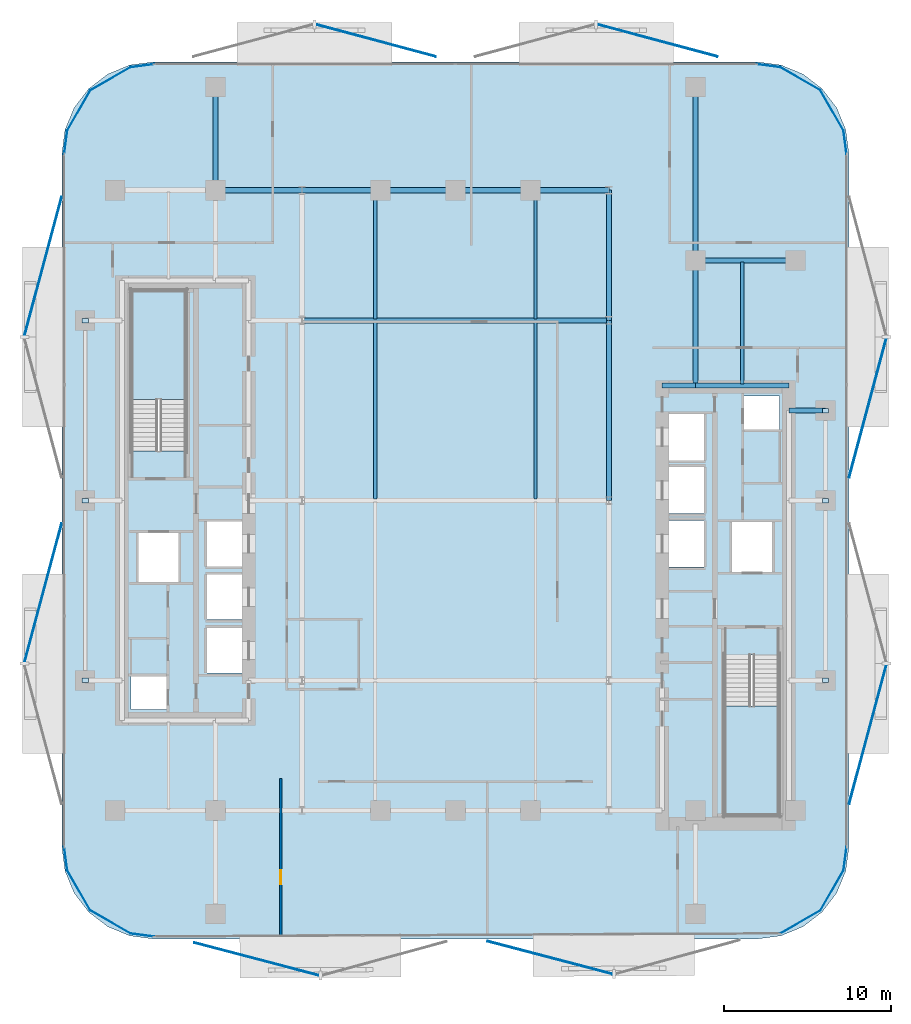
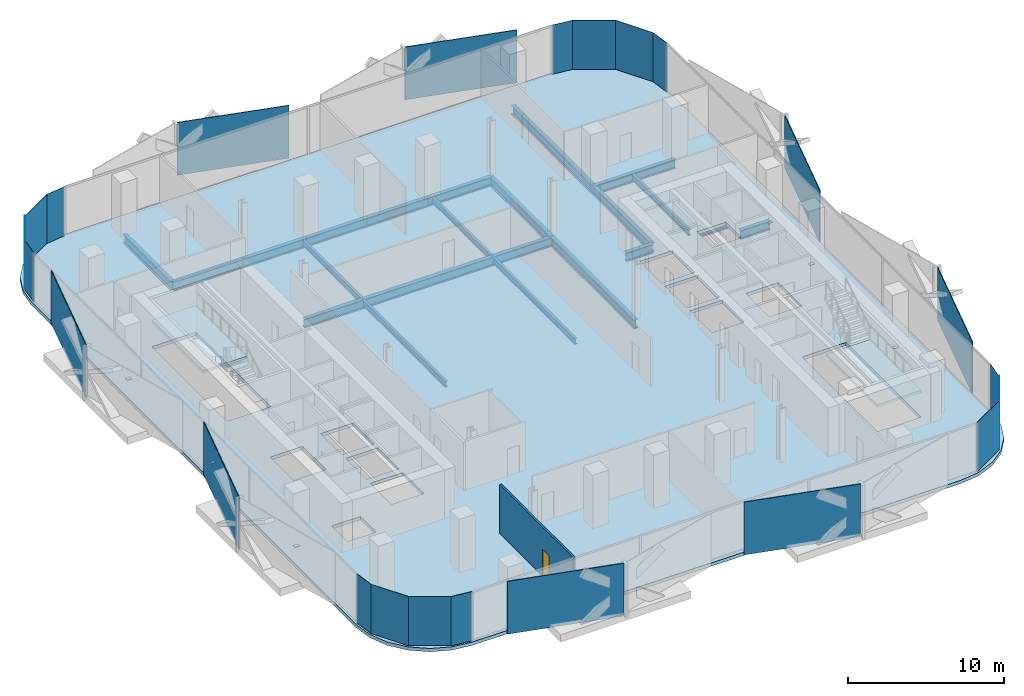
# One storey, part 2 of 15: 29 plates, 20 beams, 3 slabs, 1 door, 1 wall, 1 opening, 2 elements without a shape of their own.
"""IFC4 building model written with IfcOpenShell, lengths in metres."""

from ifc_helpers import new_model, si_unit, direction, frame, frame_2d, origin, origin_2d, place, context, subcontext, project, spatial, polyline, rectangle, i_section, outline, extrude, material, layer, layer_set, material_profile, profile_set, type_object, element, fill, aggregate, save


model = new_model("IFC4")

# Units and contexts
model_context = context("Model", 3, precision=1e-05, world=origin(), true_north=direction((0.0, 1.0)))
body_context = subcontext(model_context, "Body", "Model", "MODEL_VIEW")
ifc_project = project(units=[si_unit("LENGTHUNIT", "METRE"), si_unit("AREAUNIT", "SQUARE_METRE"), si_unit("VOLUMEUNIT", "CUBIC_METRE"), si_unit("PLANEANGLEUNIT", "RADIAN"), si_unit("MASSUNIT", "GRAM", prefix="KILO")], contexts=[model_context])

# Site, building, storey
site_placement = place(None, origin())
site = spatial("IfcSite", under=ifc_project, at=site_placement, CompositionType="ELEMENT")
building_placement = place(site_placement, origin())
building = spatial("IfcBuilding", under=site, at=building_placement, Name="Khairoan Windgate Tower", CompositionType="ELEMENT")
storey_placement = place(building_placement, frame((0.0, 0.0, 147.800048828125)))
storey = spatial("IfcBuildingStorey", under=building, at=storey_placement, Name="L34", CompositionType="ELEMENT", Elevation=147.800048828125)

# Beams
ifc_material_1 = material(Name="Steel S355", Category="steel")
ifc_material_profile_1 = material_profile(ifc_material_1, i_section(OverallWidth=0.300048828125, OverallDepth=0.699951171875, WebThickness=0.012939453125, FlangeThickness=0.02392578125, FilletRadius=0.02587890625, at=origin_2d()))
ifc_profile_set_1 = profile_set([ifc_material_profile_1], Name="Steel S355")
beam_type_1 = type_object("IfcBeamType", Name="Beam B-G3 H700x300x13x24", PredefinedType="BEAM", material=ifc_profile_set_1)
beam_1_placement = place(storey_placement, frame((20.0, 5.39990234375, -0.610107421875), z_axis=(1.0, 0.0, 0.0), x_axis=(0.0, 1.0, 0.0)))
element("IfcBeam", 1, at=beam_1_placement, inside=storey, type_object=beam_type_1, Name="L34 E-W Primary Girder 19", PredefinedType="BEAM", context=body_context, shape_type="SweptSolid", body=[
    extrude(i_section(OverallWidth=0.300048828125, OverallDepth=0.699951171875, WebThickness=0.012939453125, FlangeThickness=0.02392578125, FilletRadius=0.02587890625, at=origin_2d()), origin(), (0.0, 0.0, 1.0), 2.199951171875),
])
beam_2_placement = place(storey_placement, frame((12.39990234375, 6.89990234375, -0.610107421875), z_axis=(1.0, 0.0, 0.0), x_axis=(0.0, 1.0, 0.0)))
element("IfcBeam", 2, at=beam_2_placement, inside=storey, type_object=beam_type_1, Name="L34 E-W Primary Girder 20", PredefinedType="BEAM", context=body_context, shape_type="SweptSolid", body=[
    extrude(i_section(OverallWidth=0.300048828125, OverallDepth=0.699951171875, WebThickness=0.012939453125, FlangeThickness=0.02392578125, FilletRadius=0.02587890625, at=origin_2d()), origin(), (0.0, 0.0, 1.0), 2.0),
])
beam_3_placement = place(storey_placement, frame((14.39990234375, 6.89990234375, -0.610107421875), z_axis=(1.0, 0.0, 0.0), x_axis=(0.0, 1.0, 0.0)))
element("IfcBeam", 3, at=beam_3_placement, inside=storey, type_object=beam_type_1, Name="L34 E-W Primary Girder 21", PredefinedType="BEAM", context=body_context, shape_type="SweptSolid", body=[
    extrude(i_section(OverallWidth=0.300048828125, OverallDepth=0.699951171875, WebThickness=0.012939453125, FlangeThickness=0.02392578125, FilletRadius=0.02587890625, at=origin_2d()), origin(), (0.0, 0.0, 1.0), 5.60009765625),
])
beam_4_placement = place(storey_placement, frame((-9.199951171875, 10.800048828125, -0.610107421875), z_axis=(1.0, 0.0, 0.0), x_axis=(0.0, 1.0, 0.0)))
element("IfcBeam", 4, at=beam_4_placement, inside=storey, type_object=beam_type_1, Name="L34 E-W Primary Girder 24", PredefinedType="BEAM", context=body_context, shape_type="SweptSolid", body=[
    extrude(i_section(OverallWidth=0.300048828125, OverallDepth=0.699951171875, WebThickness=0.012939453125, FlangeThickness=0.02392578125, FilletRadius=0.02587890625, at=origin_2d()), origin(), (0.0, 0.0, 1.0), 18.39990234375),
])
beam_5_placement = place(storey_placement, frame((14.39990234375, 14.39990234375, -0.610107421875), z_axis=(1.0, 0.0, 0.0), x_axis=(0.0, 1.0, 0.0)))
element("IfcBeam", 5, at=beam_5_placement, inside=storey, type_object=beam_type_1, Name="L34 E-W Primary Girder 27", PredefinedType="BEAM", context=body_context, shape_type="SweptSolid", body=[
    extrude(i_section(OverallWidth=0.300048828125, OverallDepth=0.699951171875, WebThickness=0.012939453125, FlangeThickness=0.02392578125, FilletRadius=0.02587890625, at=origin_2d()), origin(), (0.0, 0.0, 1.0), 6.0),
])
beam_6_placement = place(storey_placement, frame((-14.39990234375, 18.60009765625, -0.610107421875), z_axis=(1.0, 0.0, 0.0), x_axis=(0.0, 1.0, 0.0)))
element("IfcBeam", 6, at=beam_6_placement, inside=storey, type_object=beam_type_1, Name="L34 E-W Primary Girder 29", PredefinedType="BEAM", context=body_context, shape_type="SweptSolid", body=[
    extrude(i_section(OverallWidth=0.300048828125, OverallDepth=0.699951171875, WebThickness=0.012939453125, FlangeThickness=0.02392578125, FilletRadius=0.02587890625, at=origin_2d()), origin(), (0.0, 0.0, 1.0), 5.199951171875),
])
beam_7_placement = place(storey_placement, frame((-9.199951171875, 18.60009765625, -0.610107421875), z_axis=(1.0, 0.0, 0.0), x_axis=(0.0, 1.0, 0.0)))
element("IfcBeam", 7, at=beam_7_placement, inside=storey, type_object=beam_type_1, Name="L34 E-W Primary Girder 30", PredefinedType="BEAM", context=body_context, shape_type="SweptSolid", body=[
    extrude(i_section(OverallWidth=0.300048828125, OverallDepth=0.699951171875, WebThickness=0.012939453125, FlangeThickness=0.02392578125, FilletRadius=0.02587890625, at=origin_2d()), origin(), (0.0, 0.0, 1.0), 4.699951171875),
])
for number, where, z_axis, x_axis, name in (
    (8, (-4.5, 18.60009765625, -0.610107421875), (1.0, 0.0, 0.0), (0.0, 1.0, 0.0), "L34 E-W Primary Girder 31"),
    (9, (0.0, 18.60009765625, -0.610107421875), (1.0, 0.0, 0.0), (0.0, 1.0, 0.0), "L34 E-W Primary Girder 32"),
):
    element("IfcBeam", number, at=place(storey_placement, frame(where, z_axis=z_axis, x_axis=x_axis)), inside=storey, type_object=beam_type_1, Name=name, PredefinedType="BEAM", context=body_context, shape_type="SweptSolid", body=[
        extrude(i_section(OverallWidth=0.300048828125, OverallDepth=0.699951171875, WebThickness=0.012939453125, FlangeThickness=0.02392578125, FilletRadius=0.02587890625, at=origin_2d()), origin(), (0.0, 0.0, 1.0), 4.5),
    ])
beam_8_placement = place(storey_placement, frame((4.5, 18.60009765625, -0.610107421875), z_axis=(1.0, 0.0, 0.0), x_axis=(0.0, 1.0, 0.0)))
element("IfcBeam", 10, at=beam_8_placement, inside=storey, type_object=beam_type_1, Name="L34 E-W Primary Girder 33", PredefinedType="BEAM", context=body_context, shape_type="SweptSolid", body=[
    extrude(i_section(OverallWidth=0.300048828125, OverallDepth=0.699951171875, WebThickness=0.012939453125, FlangeThickness=0.02392578125, FilletRadius=0.02587890625, at=origin_2d()), origin(), (0.0, 0.0, 1.0), 4.699951171875),
])
beam_9_placement = place(storey_placement, frame((-14.39990234375, 18.60009765625, -0.610107421875), z_axis=(0.0, 1.0, 0.0), x_axis=(-1.0, 0.0, 0.0)))
element("IfcBeam", 11, at=beam_9_placement, inside=storey, type_object=beam_type_1, Name="L34 N-S Primary Beam 43", PredefinedType="BEAM", context=body_context, shape_type="SweptSolid", body=[
    extrude(i_section(OverallWidth=0.300048828125, OverallDepth=0.699951171875, WebThickness=0.012939453125, FlangeThickness=0.02392578125, FilletRadius=0.02587890625, at=origin_2d()), origin(), (0.0, 0.0, 1.0), 6.199951171875),
])
beam_10_placement = place(storey_placement, frame((9.199951171875, 0.0, -0.610107421875), z_axis=(0.0, 1.0, 0.0), x_axis=(-1.0, 0.0, 0.0)))
element("IfcBeam", 12, at=beam_10_placement, inside=storey, type_object=beam_type_1, Name="L34 N-S Primary Beam 53", PredefinedType="BEAM", context=body_context, shape_type="SweptSolid", body=[
    extrude(i_section(OverallWidth=0.300048828125, OverallDepth=0.699951171875, WebThickness=0.012939453125, FlangeThickness=0.02392578125, FilletRadius=0.02587890625, at=origin_2d()), origin(), (0.0, 0.0, 1.0), 10.800048828125),
])
beam_11_placement = place(storey_placement, frame((9.199951171875, 10.800048828125, -0.610107421875), z_axis=(0.0, 1.0, 0.0), x_axis=(-1.0, 0.0, 0.0)))
element("IfcBeam", 13, at=beam_11_placement, inside=storey, type_object=beam_type_1, Name="L34 N-S Primary Beam 54", PredefinedType="BEAM", context=body_context, shape_type="SweptSolid", body=[
    extrude(i_section(OverallWidth=0.300048828125, OverallDepth=0.699951171875, WebThickness=0.012939453125, FlangeThickness=0.02392578125, FilletRadius=0.02587890625, at=origin_2d()), origin(), (0.0, 0.0, 1.0), 7.800048828125),
])
beam_12_placement = place(storey_placement, frame((14.39990234375, 6.89990234375, -0.610107421875), z_axis=(0.0, 1.0, 0.0), x_axis=(-1.0, 0.0, 0.0)))
element("IfcBeam", 14, at=beam_12_placement, inside=storey, type_object=beam_type_1, Name="L34 N-S Primary Beam 57", PredefinedType="BEAM", context=body_context, shape_type="SweptSolid", body=[
    extrude(i_section(OverallWidth=0.300048828125, OverallDepth=0.699951171875, WebThickness=0.012939453125, FlangeThickness=0.02392578125, FilletRadius=0.02587890625, at=origin_2d()), origin(), (0.0, 0.0, 1.0), 7.5),
])
beam_13_placement = place(storey_placement, frame((14.39990234375, 14.39990234375, -0.610107421875), z_axis=(0.0, 1.0, 0.0), x_axis=(-1.0, 0.0, 0.0)))
element("IfcBeam", 15, at=beam_13_placement, inside=storey, type_object=beam_type_1, Name="L34 N-S Primary Beam 58", PredefinedType="BEAM", context=body_context, shape_type="SweptSolid", body=[
    extrude(i_section(OverallWidth=0.300048828125, OverallDepth=0.699951171875, WebThickness=0.012939453125, FlangeThickness=0.02392578125, FilletRadius=0.02587890625, at=origin_2d()), origin(), (0.0, 0.0, 1.0), 10.400146484375),
])
ifc_material_2 = material(Name="Steel S355", Category="steel")
ifc_material_profile_2 = material_profile(ifc_material_2, i_section(OverallWidth=0.199951171875, OverallDepth=0.449951171875, WebThickness=0.009033203125, FlangeThickness=0.013916015625, FilletRadius=0.01806640625, at=origin_2d()))
ifc_profile_set_2 = profile_set([ifc_material_profile_2], Name="Steel S355")
beam_type_2 = type_object("IfcBeamType", Name="Beam J-S3 H450x200x9x14", PredefinedType="JOIST", material=ifc_profile_set_2)
beam_14_placement = place(storey_placement, frame((-4.800048828125, 0.090087890625, -0.485107421875), z_axis=(0.0, 1.0, 0.0), x_axis=(-1.0, 0.0, 0.0)))
element("IfcBeam", 16, at=beam_14_placement, inside=storey, type_object=beam_type_2, Name="L34 Secondary Floor Joist 05", PredefinedType="JOIST", context=body_context, shape_type="SweptSolid", body=[
    extrude(i_section(OverallWidth=0.199951171875, OverallDepth=0.449951171875, WebThickness=0.009033203125, FlangeThickness=0.013916015625, FilletRadius=0.01806640625, at=origin_2d()), origin(), (0.0, 0.0, 1.0), 10.619873046875),
])
beam_15_placement = place(storey_placement, frame((-4.800048828125, 10.889892578125, -0.485107421875), z_axis=(0.0, 1.0, 0.0), x_axis=(-1.0, 0.0, 0.0)))
element("IfcBeam", 17, at=beam_15_placement, inside=storey, type_object=beam_type_2, Name="L34 Secondary Floor Joist 06", PredefinedType="JOIST", context=body_context, shape_type="SweptSolid", body=[
    extrude(i_section(OverallWidth=0.199951171875, OverallDepth=0.449951171875, WebThickness=0.009033203125, FlangeThickness=0.013916015625, FilletRadius=0.01806640625, at=origin_2d()), origin(), (0.0, 0.0, 1.0), 7.6201171875),
])
beam_16_placement = place(storey_placement, frame((4.800048828125, 0.090087890625, -0.485107421875), z_axis=(0.0, 1.0, 0.0), x_axis=(-1.0, 0.0, 0.0)))
element("IfcBeam", 18, at=beam_16_placement, inside=storey, type_object=beam_type_2, Name="L34 Secondary Floor Joist 09", PredefinedType="JOIST", context=body_context, shape_type="SweptSolid", body=[
    extrude(i_section(OverallWidth=0.199951171875, OverallDepth=0.449951171875, WebThickness=0.009033203125, FlangeThickness=0.013916015625, FilletRadius=0.01806640625, at=origin_2d()), origin(), (0.0, 0.0, 1.0), 10.619873046875),
])
beam_17_placement = place(storey_placement, frame((4.800048828125, 10.889892578125, -0.485107421875), z_axis=(0.0, 1.0, 0.0), x_axis=(-1.0, 0.0, 0.0)))
element("IfcBeam", 19, at=beam_17_placement, inside=storey, type_object=beam_type_2, Name="L34 Secondary Floor Joist 10", PredefinedType="JOIST", context=body_context, shape_type="SweptSolid", body=[
    extrude(i_section(OverallWidth=0.199951171875, OverallDepth=0.449951171875, WebThickness=0.009033203125, FlangeThickness=0.013916015625, FilletRadius=0.01806640625, at=origin_2d()), origin(), (0.0, 0.0, 1.0), 7.6201171875),
])
beam_18_placement = place(storey_placement, frame((17.199951171875, 6.989990234375, -0.485107421875), z_axis=(0.0, 1.0, 0.0), x_axis=(-1.0, 0.0, 0.0)))
element("IfcBeam", 20, at=beam_18_placement, inside=storey, type_object=beam_type_2, Name="L34 Secondary Floor Joist 11", PredefinedType="JOIST", context=body_context, shape_type="SweptSolid", body=[
    extrude(i_section(OverallWidth=0.199951171875, OverallDepth=0.449951171875, WebThickness=0.009033203125, FlangeThickness=0.013916015625, FilletRadius=0.01806640625, at=origin_2d()), origin(), (0.0, 0.0, 1.0), 7.320068359375),
])

# Plates
ifc_material_3 = material(Name="Low-E Solar Control Laminated Glass", Category="glass")
ifc_layer_1 = layer(ifc_material_3, 0.030029296875, Name="Low-E Solar Control Laminated Glass")
ifc_layer_set_1 = layer_set([ifc_layer_1], Name="Low-E Solar Control Laminated Glass")
plate_type_1 = type_object("IfcPlateType", Name="Aerodynamic Wind-Corner Curved Glazing Plate", PredefinedType="USERDEFINED", material=ifc_layer_set_1)
plate_placement = place(storey_placement, frame((-18.788818359375, -26.068115234375, 0.0), z_axis=(0.0, 0.0, 1.0), x_axis=(-0.991444861374, 0.13052619222, 0.0)))
element("IfcPlate", 21, at=plate_placement, inside=storey, type_object=plate_type_1, Name="L34 Aerodynamic Wind-Corner Curved Glazing Panel 2", ObjectType="GLAZING PANEL", PredefinedType="USERDEFINED", context=body_context, shape_type="SweptSolid", body=[
    extrude(rectangle(XDim=1.4482421875, YDim=0.028076171875, at=origin_2d()), origin(), (0.0, 0.0, 1.0), 3.85009765625),
])
for number, where, z_axis, x_axis, name in (
    (22, (-20.688232421875, -25.28271484375, 0.0), (0.0, 0.0, 1.0), (-0.866025403784, 0.5, 0.0), "L34 Aerodynamic Wind-Corner Curved Glazing Panel 3"),
    (23, (-22.582763671875, -23.38818359375, 0.0), (0.0, 0.0, 1.0), (-0.5, 0.866025403784, 0.0), "L34 Aerodynamic Wind-Corner Curved Glazing Panel 4"),
):
    element("IfcPlate", number, at=place(storey_placement, frame(where, z_axis=z_axis, x_axis=x_axis)), inside=storey, type_object=plate_type_1, Name=name, ObjectType="GLAZING PANEL", PredefinedType="USERDEFINED", context=body_context, shape_type="SweptSolid", body=[
        extrude(rectangle(XDim=2.81396484375, YDim=0.028076171875, at=origin_2d()), origin(), (0.0, 0.0, 1.0), 3.85009765625),
    ])
for number, where, z_axis, x_axis, name in (
    (24, (-23.3681640625, -21.489013671875, 0.0), (0.0, 0.0, 1.0), (-0.13052619222, 0.991444861374, 0.0), "L34 Aerodynamic Wind-Corner Curved Glazing Panel 5"),
    (25, (-23.3681640625, 21.489013671875, 0.0), (0.0, 0.0, 1.0), (0.13052619222, 0.991444861374, 0.0), "L34 Aerodynamic Wind-Corner Curved Glazing Panel 7"),
):
    element("IfcPlate", number, at=place(storey_placement, frame(where, z_axis=z_axis, x_axis=x_axis)), inside=storey, type_object=plate_type_1, Name=name, ObjectType="GLAZING PANEL", PredefinedType="USERDEFINED", context=body_context, shape_type="SweptSolid", body=[
        extrude(rectangle(XDim=1.4482421875, YDim=0.028076171875, at=origin_2d()), origin(), (0.0, 0.0, 1.0), 3.85009765625),
    ])
for number, where, z_axis, x_axis, name in (
    (26, (-22.582763671875, 23.38818359375, 0.0), (0.0, 0.0, 1.0), (0.5, 0.866025403784, 0.0), "L34 Aerodynamic Wind-Corner Curved Glazing Panel 8"),
    (27, (-20.688232421875, 25.28271484375, 0.0), (0.0, 0.0, 1.0), (0.866025403784, 0.5, 0.0), "L34 Aerodynamic Wind-Corner Curved Glazing Panel 9"),
):
    element("IfcPlate", number, at=place(storey_placement, frame(where, z_axis=z_axis, x_axis=x_axis)), inside=storey, type_object=plate_type_1, Name=name, ObjectType="GLAZING PANEL", PredefinedType="USERDEFINED", context=body_context, shape_type="SweptSolid", body=[
        extrude(rectangle(XDim=2.81396484375, YDim=0.028076171875, at=origin_2d()), origin(), (0.0, 0.0, 1.0), 3.85009765625),
    ])
for number, where, z_axis, x_axis, name in (
    (28, (-18.788818359375, 26.068115234375, 0.0), (0.0, 0.0, 1.0), (0.991444861374, 0.13052619222, 0.0), "L34 Aerodynamic Wind-Corner Curved Glazing Panel 10"),
    (29, (18.788818359375, 26.068115234375, 0.0), (0.0, 0.0, 1.0), (0.991444861374, -0.13052619222, 0.0), "L34 Aerodynamic Wind-Corner Curved Glazing Panel 12"),
):
    element("IfcPlate", number, at=place(storey_placement, frame(where, z_axis=z_axis, x_axis=x_axis)), inside=storey, type_object=plate_type_1, Name=name, ObjectType="GLAZING PANEL", PredefinedType="USERDEFINED", context=body_context, shape_type="SweptSolid", body=[
        extrude(rectangle(XDim=1.4482421875, YDim=0.028076171875, at=origin_2d()), origin(), (0.0, 0.0, 1.0), 3.85009765625),
    ])
for number, where, z_axis, x_axis, name in (
    (30, (20.688232421875, 25.28271484375, 0.0), (0.0, 0.0, 1.0), (0.866025403784, -0.5, 0.0), "L34 Aerodynamic Wind-Corner Curved Glazing Panel 13"),
    (31, (22.582763671875, 23.38818359375, 0.0), (0.0, 0.0, 1.0), (0.5, -0.866025403784, 0.0), "L34 Aerodynamic Wind-Corner Curved Glazing Panel 14"),
):
    element("IfcPlate", number, at=place(storey_placement, frame(where, z_axis=z_axis, x_axis=x_axis)), inside=storey, type_object=plate_type_1, Name=name, ObjectType="GLAZING PANEL", PredefinedType="USERDEFINED", context=body_context, shape_type="SweptSolid", body=[
        extrude(rectangle(XDim=2.81396484375, YDim=0.028076171875, at=origin_2d()), origin(), (0.0, 0.0, 1.0), 3.85009765625),
    ])
for number, where, z_axis, x_axis, name in (
    (32, (23.3681640625, 21.489013671875, 0.0), (0.0, 0.0, 1.0), (0.13052619222, -0.991444861374, 0.0), "L34 Aerodynamic Wind-Corner Curved Glazing Panel 15"),
    (33, (23.3681640625, -21.489013671875, 0.0), (0.0, 0.0, 1.0), (-0.13052619222, -0.991444861374, 0.0), "L34 Aerodynamic Wind-Corner Curved Glazing Panel 17"),
):
    element("IfcPlate", number, at=place(storey_placement, frame(where, z_axis=z_axis, x_axis=x_axis)), inside=storey, type_object=plate_type_1, Name=name, ObjectType="GLAZING PANEL", PredefinedType="USERDEFINED", context=body_context, shape_type="SweptSolid", body=[
        extrude(rectangle(XDim=1.4482421875, YDim=0.028076171875, at=origin_2d()), origin(), (0.0, 0.0, 1.0), 3.85009765625),
    ])
for number, where, z_axis, x_axis, name in (
    (34, (22.582763671875, -23.38818359375, 0.0), (0.0, 0.0, 1.0), (-0.5, -0.866025403784, 0.0), "L34 Aerodynamic Wind-Corner Curved Glazing Panel 18"),
    (35, (20.688232421875, -25.28271484375, 0.0), (0.0, 0.0, 1.0), (-0.866025403784, -0.5, 0.0), "L34 Aerodynamic Wind-Corner Curved Glazing Panel 19"),
):
    element("IfcPlate", number, at=place(storey_placement, frame(where, z_axis=z_axis, x_axis=x_axis)), inside=storey, type_object=plate_type_1, Name=name, ObjectType="GLAZING PANEL", PredefinedType="USERDEFINED", context=body_context, shape_type="SweptSolid", body=[
        extrude(rectangle(XDim=2.81396484375, YDim=0.028076171875, at=origin_2d()), origin(), (0.0, 0.0, 1.0), 3.85009765625),
    ])
ifc_material_4 = material(Name="Steel S355", Category="steel")
ifc_layer_2 = layer(ifc_material_4, 0.0400390625, Name="Steel S355")
ifc_layer_set_2 = layer_set([ifc_layer_2], Name="Steel S355")
plate_type_2 = type_object("IfcPlateType", Name="Hollow Section End-Cap Plate PL-CAP40", PredefinedType="SHEET", material=ifc_layer_set_2)
for number, where, z_axis, x_axis, name in (
    (36, (-22.199951171875, -10.784912109375, -0.455078125), (0.0, 0.0, 1.0), (0.0, 1.0, 0.0), "BM-SP-L34-034 steel end-cap plate 1"),
    (37, (-22.199951171875, -0.014892578125, -0.455078125), (0.0, 0.0, 1.0), (0.0, 1.0, 0.0), "BM-SP-L34-034 steel end-cap plate 2"),
    (38, (-22.199951171875, 10.784912109375, -0.455078125), (0.0, 0.0, 1.0), (0.0, 1.0, 0.0), "BM-SP-L34-035 steel end-cap plate 2"),
    (39, (22.199951171875, -10.784912109375, -0.455078125), (0.0, 0.0, 1.0), (0.0, 1.0, 0.0), "BM-SP-L34-062 steel end-cap plate 1"),
    (40, (22.199951171875, -0.014892578125, -0.455078125), (0.0, 0.0, 1.0), (0.0, 1.0, 0.0), "BM-SP-L34-062 steel end-cap plate 2"),
    (41, (22.199951171875, 5.385009765625, -0.455078125), (0.0, 0.0, 1.0), (0.0, 1.0, 0.0), "BM-SP-L34-063 steel end-cap plate 2"),
):
    element("IfcPlate", number, at=place(storey_placement, frame(where, z_axis=z_axis, x_axis=x_axis)), inside=storey, type_object=plate_type_2, Name=name, PredefinedType="SHEET", context=body_context, shape_type="SweptSolid", body=[
        extrude(rectangle(XDim=0.27001953125, YDim=0.3701171875, at=origin_2d()), origin(), (0.0, 0.0, 1.0), 0.0400390625),
    ])
ifc_material_5 = material(Name="Anodised Bronze Aluminium 6063-T6", Category="aluminium")
ifc_layer_3 = layer(ifc_material_5, 0.054931640625, Name="Anodised Bronze Aluminium 6063-T6")
ifc_layer_set_3 = layer_set([ifc_layer_3], Name="Anodised Bronze Aluminium 6063-T6")
plate_type_3 = type_object("IfcPlateType", Name="Perforated Bronze Solar Screen Panel BSP-1", PredefinedType="USERDEFINED", material=ifc_layer_set_3)
for number, where, z_axis, x_axis, name in (
    (42, (5.671630859375, -27.42236328125, -0.10009765625), (0.0, 0.0, 1.0), (-0.967179115616, 0.254095569259, 0.0), "L34 Perforated Bronze Solar Screen Panel 217R"),
    (43, (-11.917236328125, -27.50830078125, -0.10009765625), (0.0, 0.0, 1.0), (-0.967179115616, 0.254095569259, 0.0), "L34 Perforated Bronze Solar Screen Panel 218R"),
):
    element("IfcPlate", number, at=place(storey_placement, frame(where, z_axis=z_axis, x_axis=x_axis)), inside=storey, type_object=plate_type_3, Name=name, ObjectType="SCREEN", PredefinedType="USERDEFINED", context=body_context, shape_type="SweptSolid", body=[
        extrude(rectangle(XDim=7.739013671875, YDim=0.054931640625, at=origin_2d()), origin(), (0.0, 0.0, 1.0), 4.139892578125),
    ])
for number, where, z_axis, x_axis, name in (
    (44, (-24.724609375, -5.542236328125, -0.10009765625), (0.0, 0.0, 1.0), (0.258819045103, 0.965925826289, 0.0), "L34 Perforated Bronze Solar Screen Panel 219R"),
    (45, (-24.724609375, 14.048583984375, -0.10009765625), (0.0, 0.0, 1.0), (0.258819045103, 0.965925826289, 0.0), "L34 Perforated Bronze Solar Screen Panel 220R"),
):
    element("IfcPlate", number, at=place(storey_placement, frame(where, z_axis=z_axis, x_axis=x_axis)), inside=storey, type_object=plate_type_3, Name=name, ObjectType="SCREEN", PredefinedType="USERDEFINED", context=body_context, shape_type="SweptSolid", body=[
        extrude(rectangle(XDim=8.6201171875, YDim=0.054931640625, at=origin_2d()), origin(), (0.0, 0.0, 1.0), 4.139892578125),
    ])
for number, where, z_axis, x_axis, name in (
    (46, (-4.76611328125, 27.578125, -0.10009765625), (0.0, 0.0, 1.0), (0.965925826289, -0.258819045103, 0.0), "L34 Perforated Bronze Solar Screen Panel 221R"),
    (47, (12.124755859375, 27.578125, -0.10009765625), (0.0, 0.0, 1.0), (0.965925826289, -0.258819045103, 0.0), "L34 Perforated Bronze Solar Screen Panel 222R"),
):
    element("IfcPlate", number, at=place(storey_placement, frame(where, z_axis=z_axis, x_axis=x_axis)), inside=storey, type_object=plate_type_3, Name=name, ObjectType="SCREEN", PredefinedType="USERDEFINED", context=body_context, shape_type="SweptSolid", body=[
        extrude(rectangle(XDim=7.431884765625, YDim=0.054931640625, at=origin_2d()), origin(), (0.0, 0.0, 1.0), 4.139892578125),
    ])
for number, where, z_axis, x_axis, name in (
    (48, (24.724609375, 5.542236328125, -0.10009765625), (0.0, 0.0, 1.0), (-0.258819045103, -0.965925826289, 0.0), "L34 Perforated Bronze Solar Screen Panel 223R"),
    (49, (24.724609375, -14.048583984375, -0.10009765625), (0.0, 0.0, 1.0), (-0.258819045103, -0.965925826289, 0.0), "L34 Perforated Bronze Solar Screen Panel 224R"),
):
    element("IfcPlate", number, at=place(storey_placement, frame(where, z_axis=z_axis, x_axis=x_axis)), inside=storey, type_object=plate_type_3, Name=name, ObjectType="SCREEN", PredefinedType="USERDEFINED", context=body_context, shape_type="SweptSolid", body=[
        extrude(rectangle(XDim=8.6201171875, YDim=0.054931640625, at=origin_2d()), origin(), (0.0, 0.0, 1.0), 4.139892578125),
    ])

# Stair, slab
ifc_material_6 = material(Name="Concrete C40/50", Category="concrete")
stair_type = type_object("IfcStairType", Name="Tower Core Dog-Leg Stair ST-T1 1560mm", PredefinedType="HALF_TURN_STAIR", material=ifc_material_6)
stair_1_placement = place(storey_placement, origin())
stair_1 = element("IfcStair", 50, at=stair_1_placement, inside=storey, type_object=stair_type, Name="L34 Stair ST1", PredefinedType="HALF_TURN_STAIR")
ifc_material_7 = material(Name="Concrete C40/50", Category="concrete")
ifc_layer_4 = layer(ifc_material_7, 0.199951171875, Name="Concrete C40/50")
ifc_layer_set_4 = layer_set([ifc_layer_4], Name="Concrete C40/50")
slab_type_1 = type_object("IfcSlabType", Name="Reinforced Concrete Stair Landing Slab STL-200", PredefinedType="LANDING", material=ifc_layer_set_4)
slab_1_placement = place(storey_placement, frame((0.0, 0.0, 1.89990234375)))
slab_1 = element("IfcSlab", 51, at=slab_1_placement, type_object=slab_type_1, Name="ST1 landing 1", PredefinedType="LANDING", context=body_context, shape_type="SweptSolid", body=[
    extrude(outline(polyline([(16.14990234375, -12.340087890625), (16.14990234375, -18.89990234375), (19.419921875, -18.89990234375), (19.419921875, -12.340087890625), (16.14990234375, -12.340087890625)])), origin(), (0.0, 0.0, 1.0), 0.199951171875),
])
aggregate(stair_1, [slab_1])

stair_2_placement = place(storey_placement, origin())
stair_2 = element("IfcStair", 52, at=stair_2_placement, inside=storey, type_object=stair_type, Name="L34 Stair ST2", PredefinedType="HALF_TURN_STAIR")
slab_2_placement = place(storey_placement, frame((0.0, 0.0, 1.89990234375)))
slab_2 = element("IfcSlab", 53, at=slab_2_placement, type_object=slab_type_1, Name="ST2 landing 1", PredefinedType="LANDING", context=body_context, shape_type="SweptSolid", body=[
    extrude(outline(polyline([(-16.14990234375, 6.0400390625), (-16.14990234375, 12.60009765625), (-19.419921875, 12.60009765625), (-19.419921875, 6.0400390625), (-16.14990234375, 6.0400390625)])), origin(), (0.0, 0.0, 1.0), 0.199951171875),
])
aggregate(stair_2, [slab_2])

# Slab
ifc_material_8 = material(Name="Concrete C40/50", Category="concrete")
ifc_layer_5 = layer(ifc_material_8, 0.260009765625, Name="Concrete C40/50")
ifc_layer_set_5 = layer_set([ifc_layer_5], Name="Concrete C40/50")
slab_type_2 = type_object("IfcSlabType", Name="Tower Composite Floor Slab FS2 260mm", PredefinedType="FLOOR", material=ifc_layer_set_5)
slab_3_placement = place(storey_placement, frame((0.0, 0.0, -0.260009765625)))
element("IfcSlab", 54, at=slab_3_placement, inside=storey, type_object=slab_type_2, Name="L34 Structural Floor Slab", PredefinedType="FLOOR", context=body_context, shape_type="SweptSolid", body=[
    extrude(outline(polyline([(18.10009765625, -26.300048828125), (19.5234375, -26.112548828125), (20.85009765625, -25.56298828125), (21.989013671875, -24.689208984375), (22.863037109375, -23.550048828125), (23.41259765625, -22.223388671875), (23.60009765625, -20.800048828125), (23.60009765625, 20.800048828125), (23.41259765625, 22.223388671875), (22.863037109375, 23.550048828125), (21.989013671875, 24.689208984375), (20.85009765625, 25.56298828125), (19.5234375, 26.112548828125), (18.10009765625, 26.300048828125), (-18.10009765625, 26.300048828125), (-19.5234375, 26.112548828125), (-20.85009765625, 25.56298828125), (-21.989013671875, 24.689208984375), (-22.863037109375, 23.550048828125), (-23.41259765625, 22.223388671875), (-23.60009765625, 20.800048828125), (-23.60009765625, -20.800048828125), (-23.41259765625, -22.223388671875), (-22.863037109375, -23.550048828125), (-21.989013671875, -24.689208984375), (-20.85009765625, -25.56298828125), (-19.5234375, -26.112548828125), (-18.10009765625, -26.300048828125), (18.10009765625, -26.300048828125)]), holes=[polyline([(16.14990234375, -9.260009765625), (16.14990234375, -18.89990234375), (19.419921875, -18.89990234375), (19.419921875, -9.260009765625), (16.14990234375, -9.260009765625)]), polyline([(-16.14990234375, 2.9599609375), (-16.14990234375, 12.60009765625), (-19.419921875, 12.60009765625), (-19.419921875, 2.9599609375), (-16.14990234375, 2.9599609375)]), polyline([(-14.89990234375, -3.949951171875), (-12.5, -3.949951171875), (-12.5, -1.25), (-14.89990234375, -1.25), (-14.89990234375, -3.949951171875)]), polyline([(-14.89990234375, -7.14990234375), (-12.5, -7.14990234375), (-12.5, -4.449951171875), (-14.89990234375, -4.449951171875), (-14.89990234375, -7.14990234375)]), polyline([(-14.89990234375, -10.35009765625), (-12.5, -10.35009765625), (-12.5, -7.64990234375), (-14.89990234375, -7.64990234375), (-14.89990234375, -10.35009765625)]), polyline([(12.5, 2.39990234375), (14.89990234375, 2.39990234375), (14.89990234375, 5.199951171875), (12.5, 5.199951171875), (12.5, 2.39990234375)]), polyline([(12.5, -0.800048828125), (14.89990234375, -0.800048828125), (14.89990234375, 2.0), (12.5, 2.0), (12.5, -0.800048828125)]), polyline([(12.5, -4.0), (14.89990234375, -4.0), (14.89990234375, -1.199951171875), (12.5, -1.199951171875), (12.5, -4.0)]), polyline([(16.60009765625, -4.300048828125), (19.0, -4.300048828125), (19.0, -1.300048828125), (16.60009765625, -1.300048828125), (16.60009765625, -4.300048828125)]), polyline([(-19.0, -4.89990234375), (-16.60009765625, -4.89990234375), (-16.60009765625, -1.89990234375), (-19.0, -1.89990234375), (-19.0, -4.89990234375)]), polyline([(-19.449951171875, -12.550048828125), (-17.31005859375, -12.550048828125), (-17.31005859375, -10.550048828125), (-19.449951171875, -10.550048828125), (-19.449951171875, -12.550048828125)]), polyline([(17.31005859375, 4.25), (19.449951171875, 4.25), (19.449951171875, 6.25), (17.31005859375, 6.25), (17.31005859375, 4.25)])]), origin(), (0.0, 0.0, 1.0), 0.260009765625),
])

# Wall, opening, door
ifc_material_9 = material(Name="Acoustic Fire-Rated Gypsum Partition", Category="gypsum")
ifc_layer_6 = layer(ifc_material_9, 0.139892578125, Name="Acoustic Fire-Rated Gypsum Partition")
ifc_layer_set_6 = layer_set([ifc_layer_6], Name="Acoustic Fire-Rated Gypsum Partition")
wall_type = type_object("IfcWallType", Name="Inter-Tenancy Compartment Wall", PredefinedType="PARTITIONING", material=ifc_layer_set_6)
wall_placement = place(storey_placement, frame((-10.471923828125, -26.11767578125, 0.0), z_axis=(0.0, 0.0, 1.0), x_axis=(0.0, 1.0, 0.0)))
wall = element("IfcWall", 55, at=wall_placement, inside=storey, type_object=wall_type, Name="L34 Interior Partition 032", PredefinedType="PARTITIONING", context=body_context, shape_type="SweptSolid", body=[
    extrude(rectangle(XDim=9.437744140625, YDim=0.139892578125, at=frame_2d((4.71875, 0.0))), origin(), (0.0, 0.0, 1.0), 3.849853515625),
])
opening_placement = place(wall_placement, frame((3.083251953125, 0.0, 0.0)))
opening = element("IfcOpeningElement", 56, at=opening_placement, cuts=wall, Name="Opening FD-SRV", PredefinedType="OPENING", context=body_context, shape_type="SweptSolid", body=[
    extrude(rectangle(XDim=0.85009765625, YDim=2.10009765625, at=frame_2d((0.425048828125, 1.050048828125))), frame((0.0, 0.079833984375, 0.0), z_axis=(0.0, -1.0, 0.0), x_axis=(1.0, 0.0, 0.0)), (0.0, 0.0, 1.0), 0.159912109375),
])
ifc_material_10 = material(Name="Steel S355", Category="steel")
door_type = type_object("IfcDoorType", Name="Core Service and Riser Fire Door FD-SRV 850x2100", OperationType="NOTDEFINED", PredefinedType="DOOR", material=ifc_material_10)
door_placement = place(opening_placement, origin())
door = element("IfcDoor", 57, at=door_placement, inside=storey, type_object=door_type, Name="L34 L34-46-L34-47 Door", OperationType="SINGLE_SWING_LEFT", OverallHeight=2.10009765625, OverallWidth=0.85009765625, PredefinedType="DOOR", context=body_context, shape_type="SweptSolid", body=[
    extrude(rectangle(XDim=0.85009765625, YDim=2.10009765625, at=frame_2d((0.425048828125, 1.050048828125))), frame((0.0, 0.02490234375, 0.0), z_axis=(0.0, -1.0, 0.0), x_axis=(1.0, 0.0, 0.0)), (0.0, 0.0, 1.0), 0.050048828125),
])
fill(opening, door)

save(model, "model.ifc")
